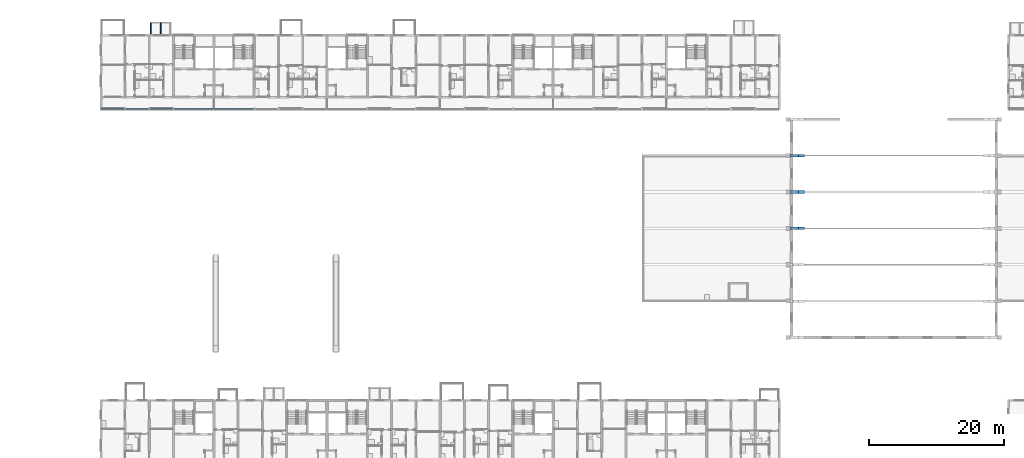
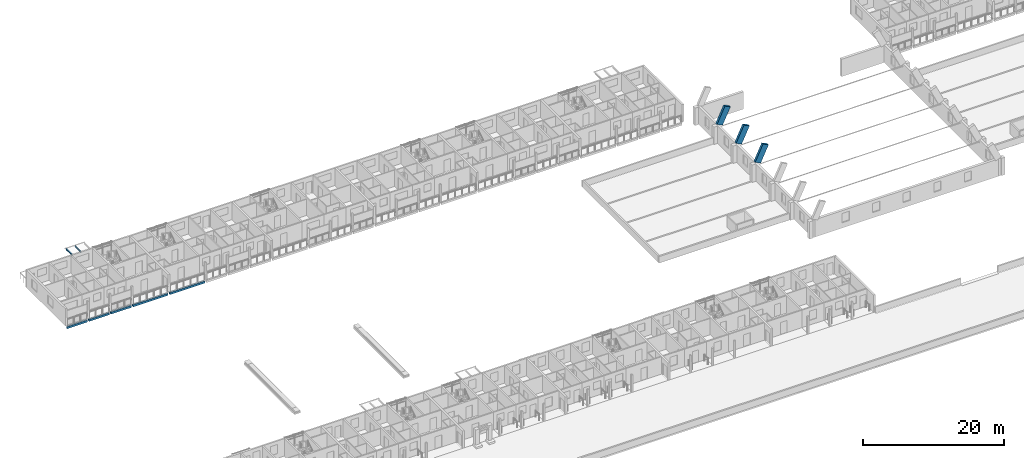
# One storey, part 15 of 115: 10 beams.
"""IFC4 building model written with IfcOpenShell, lengths in metres."""

import ifcopenshell
import ifcopenshell.guid

model = None  # the IFC model being written
_history = None  # IfcOwnerHistory: only IFC2X3 demands one
_inside = {}  # id of a spatial element -> (the spatial element, [elements in it])
_under = {}  # id of a project, library or spatial element -> (it, [spatial elements below it])
_declared = {}  # id of a project -> (the project, [libraries it declares])
_typed = {}  # id of a type object -> (the type object, [elements of that type])
_made_of = {}  # id of a material, layer set ... -> (it, [elements and type objects made of it])


def new_model(schema):
    """Start an empty IFC model of exactly this schema.

    Asked for "IFC4X3", IfcOpenShell would pick the latest addendum, in which some entities
    have other attributes; the version numbers below select the first issue.
    IFC2X3 requires an IfcOwnerHistory on every rooted entity: one is made here for all.
    """
    global model, _history
    if schema == "IFC4X3":
        model = ifcopenshell.file(schema_version=(4, 3, 0, 0))
    else:
        model = ifcopenshell.file(schema=schema)
    _inside.clear()
    _under.clear()
    _declared.clear()
    _typed.clear()
    _made_of.clear()
    _history = None
    if model.schema == "IFC2X3":
        org = make("IfcOrganization", Name="unknown")
        user = make(
            "IfcPersonAndOrganization",
            ThePerson=make("IfcPerson", FamilyName="unknown"),
            TheOrganization=org,
        )
        app = make(
            "IfcApplication",
            ApplicationDeveloper=org,
            Version="unknown",
            ApplicationFullName="unknown",
            ApplicationIdentifier="unknown",
        )
        _history = make(
            "IfcOwnerHistory",
            OwningUser=user,
            OwningApplication=app,
            ChangeAction="ADDED",
            CreationDate=0,
        )
    return model


def make(cls, **values):
    """One entity of the class cls with the attributes given. An attribute that is None is left unset."""
    return model.create_entity(
        cls, **{name: value for name, value in values.items() if value is not None}
    )


def rooted(cls, **values):
    """An entity with a GlobalId (a new one), such as an element, a storey or a relation."""
    return make(cls, GlobalId=ifcopenshell.guid.new(), OwnerHistory=_history, **values)


def si_unit(unit_type, name, prefix=None):
    """IfcSIUnit, for example si_unit("LENGTHUNIT", "METRE", prefix="MILLI")."""
    return make("IfcSIUnit", UnitType=unit_type, Prefix=prefix, Name=name)


def assignment(units):
    """IfcUnitAssignment: the units of a project."""
    return None if units is None else make("IfcUnitAssignment", Units=units)


def point(xyz):
    """IfcCartesianPoint."""
    return None if xyz is None else make("IfcCartesianPoint", Coordinates=xyz)


def direction(xyz):
    """IfcDirection."""
    return None if xyz is None else make("IfcDirection", DirectionRatios=xyz)


def frame(location, z_axis=None, x_axis=None):
    """IfcAxis2Placement3D, a coordinate frame: its origin and axes. An axis left out is left unset."""
    return make(
        "IfcAxis2Placement3D",
        Location=point(location),
        Axis=direction(z_axis),
        RefDirection=direction(x_axis),
    )


def frame_2d(location, x_axis=None):
    """IfcAxis2Placement2D, a coordinate frame in the plane: its origin and x axis."""
    return make(
        "IfcAxis2Placement2D", Location=point(location), RefDirection=direction(x_axis)
    )


def origin():
    """The frame at (0, 0, 0) with its axes left unset."""
    return frame((0.0, 0.0, 0.0))


def origin_2d():
    """The frame at (0, 0) in the plane with its x axis left unset."""
    return frame_2d((0.0, 0.0))


def place(relative_to, where):
    """IfcLocalPlacement: puts the frame where relative to a parent placement (None: the world)."""
    return make(
        "IfcLocalPlacement", PlacementRelTo=relative_to, RelativePlacement=where
    )


def context(
    kind, dimensions, precision=None, world=None, true_north=None, identifier=None
):
    """IfcGeometricRepresentationContext, for example the 3D "Model" context."""
    return make(
        "IfcGeometricRepresentationContext",
        ContextIdentifier=identifier,
        ContextType=kind,
        CoordinateSpaceDimension=dimensions,
        Precision=precision,
        WorldCoordinateSystem=world,
        TrueNorth=true_north,
    )


def subcontext(parent, identifier, kind, view, scale=None):
    """IfcGeometricRepresentationSubContext, for example "Body" below "Model"."""
    return make(
        "IfcGeometricRepresentationSubContext",
        ContextIdentifier=identifier,
        ContextType=kind,
        ParentContext=parent,
        TargetScale=scale,
        TargetView=view,
    )


def project(units=None, contexts=None):
    """IfcProject with its units and contexts."""
    return rooted(
        "IfcProject",
        Name="project",
        RepresentationContexts=contexts,
        UnitsInContext=assignment(units),
    )


def spatial(cls, under=None, at=None, **own):
    """A site, building, storey or space (cls), placed at a placement, below another one or the project."""
    s = rooted(cls, ObjectPlacement=at, **own)
    if under is not None:
        _under.setdefault(under.id(), (under, []))[1].append(s)
    return s


def profile(cls, at=None, kind="AREA", **sizes):
    """A parametric profile (cls). Its sizes go by their IFC names, for example OverallWidth=200.0."""
    return make(cls, ProfileType=kind, Position=at, **sizes)


def rectangle(**sizes):
    """IfcRectangleProfileDef."""
    return profile("IfcRectangleProfileDef", **sizes)


def i_section(**sizes):
    """IfcIShapeProfileDef."""
    return profile("IfcIShapeProfileDef", **sizes)


def extrude(swept, where, along, depth):
    """IfcExtrudedAreaSolid: the profile swept, set in the frame where, extruded along a direction by depth."""
    return make(
        "IfcExtrudedAreaSolid",
        SweptArea=swept,
        Position=where,
        ExtrudedDirection=direction(along),
        Depth=depth,
    )


def shape(context_of_items, identifier, shape_type, items):
    """IfcShapeRepresentation: the items that make up one representation, for example the "Body"."""
    return make(
        "IfcShapeRepresentation",
        ContextOfItems=context_of_items,
        RepresentationIdentifier=identifier,
        RepresentationType=shape_type,
        Items=items,
    )


def material(Name=None, Category=None):
    """IfcMaterial."""
    return make("IfcMaterial", Name=Name, Category=Category)


def material_profile(
    of_material, cross_section, Name=None, Category=None, Priority=None
):
    """IfcMaterialProfile: a cross section and its material."""
    return make(
        "IfcMaterialProfile",
        Name=Name,
        Material=of_material,
        Profile=cross_section,
        Priority=Priority,
        Category=Category,
    )


def profile_set(profiles, Name=None, composite=None):
    """IfcMaterialProfileSet."""
    return make(
        "IfcMaterialProfileSet",
        Name=Name,
        MaterialProfiles=profiles,
        CompositeProfile=composite,
    )


def made_of(thing, what):
    """Note that an element or type object is made of a material, layer set ...; save() writes the relation."""
    if what is not None:
        _made_of.setdefault(what.id(), (what, []))[1].append(thing)
    return thing


def type_object(cls, material=None, **own):
    """A type object (cls), such as IfcWallType, which elements share."""
    return made_of(rooted(cls, **own), material)


def element(
    cls,
    number,
    at=None,
    inside=None,
    cuts=None,
    type_object=None,
    material=None,
    context=None,
    identifier="Body",
    shape_type=None,
    held_by="IfcProductDefinitionShape",
    body=None,
    shapes=None,
    **own,
):
    """One element of the class cls, such as IfcWall. Its Tag is "e" and its number.

    at: its placement. inside: the storey or other place that contains it. cuts: it is an
    opening in that element (IfcRelVoidsElement). A single representation is given by context,
    identifier, shape_type and body (its items); several are given by shapes. held_by: the class
    of the entity that holds the representations. save() writes the other relations.
    """
    e = rooted(cls, Tag="e%d" % number, ObjectPlacement=at, **own)
    if body is not None:
        shapes = [shape(context, identifier, shape_type, body)]
    if shapes is not None:
        e.Representation = make(held_by, Representations=shapes)
    if inside is not None:
        _inside.setdefault(inside.id(), (inside, []))[1].append(e)
    if cuts is not None:
        rooted(
            "IfcRelVoidsElement", RelatingBuildingElement=cuts, RelatedOpeningElement=e
        )
    if type_object is not None:
        _typed.setdefault(type_object.id(), (type_object, []))[1].append(e)
    return made_of(e, material)


def aggregate(whole, parts):
    """IfcRelAggregates: a whole, such as a stair, and the parts it consists of."""
    return rooted("IfcRelAggregates", RelatingObject=whole, RelatedObjects=parts)


def save(model, path):
    """Write the relations noted so far, then the file.

    IfcRelAggregates (storeys below a building ...), IfcRelContainedInSpatialStructure (elements
    in a storey), IfcRelDefinesByType, IfcRelAssociatesMaterial and IfcRelDeclares: one each for
    every whole, place, type object, material and project.
    """
    for whole, parts in _under.values():
        aggregate(whole, parts)
    for where, things in _inside.values():
        rooted(
            "IfcRelContainedInSpatialStructure",
            RelatedElements=things,
            RelatingStructure=where,
        )
    for kind, things in _typed.values():
        rooted("IfcRelDefinesByType", RelatedObjects=things, RelatingType=kind)
    for what, things in _made_of.values():
        rooted("IfcRelAssociatesMaterial", RelatedObjects=things, RelatingMaterial=what)
    for by, libraries in _declared.values():
        rooted("IfcRelDeclares", RelatingContext=by, RelatedDefinitions=libraries)
    model.write(path)


model = new_model("IFC4")

# Units and contexts
model_context = context("Model", 3, precision=1e-05, world=origin(), true_north=direction((0.0, 1.0)))
body_context = subcontext(model_context, "Body", "Model", "MODEL_VIEW")
ifc_project = project(units=[si_unit("LENGTHUNIT", "METRE"), si_unit("AREAUNIT", "SQUARE_METRE"), si_unit("VOLUMEUNIT", "CUBIC_METRE"), si_unit("PLANEANGLEUNIT", "RADIAN"), si_unit("MASSUNIT", "GRAM", prefix="KILO")], contexts=[model_context])

# Site, building, storey
site_placement = place(None, origin())
site = spatial("IfcSite", under=ifc_project, at=site_placement, CompositionType="ELEMENT")
building_placement = place(site_placement, origin())
building = spatial("IfcBuilding", under=site, at=building_placement, Name="Ridgestep Commons", CompositionType="ELEMENT")
storey_placement = place(building_placement, frame((0.0, 0.0, 6.0)))
storey = spatial("IfcBuildingStorey", under=building, at=storey_placement, Name="L02", CompositionType="ELEMENT", Elevation=6.0)

# Beams
ifc_material_1 = material(Name="Precast concrete C50/60", Category="concrete")
ifc_material_profile_1 = material_profile(ifc_material_1, rectangle(XDim=0.39990234375, YDim=1.0, at=origin_2d()), Name="Hall vault rib 400 x 1000")
ifc_profile_set_1 = profile_set([ifc_material_profile_1], Name="Precast concrete C50/60")
beam_type_1 = type_object("IfcBeamType", Name="Hall vault rib 400 x 1000", PredefinedType="BEAM", material=ifc_profile_set_1)
for number, where, z_axis, x_axis, name in (
    (1, (114.800048828125, 48.39990234375, 3.0), (0.429357705231, 0.0, 0.903134519858), (0.0, 1.0, 0.0), "Hall vault rib R4"),
    (2, (114.800048828125, 53.800048828125, 3.0), (0.429357705231, 0.0, 0.903134519858), (0.0, 1.0, 0.0), "Hall vault rib R5"),
    (3, (114.800048828125, 59.199951171875, 3.0), (0.429357705231, 0.0, 0.903134519858), (0.0, 1.0, 0.0), "Hall vault rib R6"),
):
    element("IfcBeam", number, at=place(storey_placement, frame(where, z_axis=z_axis, x_axis=x_axis)), inside=storey, type_object=beam_type_1, Name=name, PredefinedType="BEAM", context=body_context, shape_type="SweptSolid", body=[
        extrude(rectangle(XDim=0.39990234375, YDim=1.0, at=origin_2d()), origin(), (0.0, 0.0, 1.0), 3.011962890625),
    ])
ifc_material_2 = material(Name="Precast concrete C40/50", Category="concrete")
ifc_material_profile_2 = material_profile(ifc_material_2, rectangle(XDim=0.25, YDim=0.35009765625, at=origin_2d()), Name="PC 250x350")
ifc_profile_set_2 = profile_set([ifc_material_profile_2], Name="Precast concrete C40/50")
beam_type_2 = type_object("IfcBeamType", Name="Loggia edge beam 250 x 350", PredefinedType="SPANDREL", material=ifc_profile_set_2)
beam_1_placement = place(storey_placement, frame((12.14990234375, 66.125, -0.375), z_axis=(1.0, 0.0, 0.0), x_axis=(0.0, 1.0, 0.0)))
element("IfcBeam", 4, at=beam_1_placement, inside=storey, type_object=beam_type_2, Name="Loggia edge beam B1T1 L02", PredefinedType="SPANDREL", context=body_context, shape_type="SweptSolid", body=[
    extrude(rectangle(XDim=0.25, YDim=0.35009765625, at=origin_2d()), origin(), (0.0, 0.0, 1.0), 3.3251953125),
])
beam_2_placement = place(storey_placement, frame((15.72509765625, 66.125, -0.375), z_axis=(1.0, 0.0, 0.0), x_axis=(0.0, 1.0, 0.0)))
element("IfcBeam", 5, at=beam_2_placement, inside=storey, type_object=beam_type_2, Name="Loggia edge beam B1T2 L02", PredefinedType="SPANDREL", context=body_context, shape_type="SweptSolid", body=[
    extrude(rectangle(XDim=0.25, YDim=0.35009765625, at=origin_2d()), origin(), (0.0, 0.0, 1.0), 3.349853515625),
])
beam_3_placement = place(storey_placement, frame((19.324951171875, 66.125, -0.375), z_axis=(1.0, 0.0, 0.0), x_axis=(0.0, 1.0, 0.0)))
element("IfcBeam", 6, at=beam_3_placement, inside=storey, type_object=beam_type_2, Name="Loggia edge beam B1T3 L02", PredefinedType="SPANDREL", context=body_context, shape_type="SweptSolid", body=[
    extrude(rectangle(XDim=0.25, YDim=0.35009765625, at=origin_2d()), origin(), (0.0, 0.0, 1.0), 3.35009765625),
])
beam_4_placement = place(storey_placement, frame((22.925048828125, 66.125, -0.375), z_axis=(1.0, 0.0, 0.0), x_axis=(0.0, 1.0, 0.0)))
element("IfcBeam", 7, at=beam_4_placement, inside=storey, type_object=beam_type_2, Name="Loggia edge beam B1C L02", PredefinedType="SPANDREL", context=body_context, shape_type="SweptSolid", body=[
    extrude(rectangle(XDim=0.25, YDim=0.35009765625, at=origin_2d()), origin(), (0.0, 0.0, 1.0), 5.724853515625),
])
beam_5_placement = place(storey_placement, frame((28.949951171875, 66.125, -0.375), z_axis=(1.0, 0.0, 0.0), x_axis=(0.0, 1.0, 0.0)))
element("IfcBeam", 8, at=beam_5_placement, inside=storey, type_object=beam_type_2, Name="Loggia edge beam B2C L02", PredefinedType="SPANDREL", context=body_context, shape_type="SweptSolid", body=[
    extrude(rectangle(XDim=0.25, YDim=0.35009765625, at=origin_2d()), origin(), (0.0, 0.0, 1.0), 5.72509765625),
])
ifc_material_3 = material(Name="Weathering steel S355J2W", Category="steel")
ifc_material_profile_3 = material_profile(ifc_material_3, i_section(OverallWidth=0.14599609375, OverallDepth=0.25146484375, WebThickness=0.006103515625, FlangeThickness=0.008544921875, FilletRadius=0.007568359375, at=origin_2d()), Name="UB 254x146x31")
ifc_profile_set_3 = profile_set([ifc_material_profile_3], Name="Weathering steel S355J2W")
beam_type_3 = type_object("IfcBeamType", Name="Tray arm UB 254x146x31", PredefinedType="BEAM", material=ifc_profile_set_3)
for number, where, z_axis, x_axis, name in (
    (9, (19.449951171875, 77.264892578125, 2.8642578125), (0.0, 1.0, 0.0), (-1.0, 0.0, 0.0), "Tray arm B1T3-03.1"),
    (10, (20.89990234375, 77.264892578125, 2.8642578125), (0.0, 1.0, 0.0), (-1.0, 0.0, 0.0), "Tray arm B1T3-03.2"),
):
    element("IfcBeam", number, at=place(storey_placement, frame(where, z_axis=z_axis, x_axis=x_axis)), inside=storey, type_object=beam_type_3, Name=name, PredefinedType="BEAM", context=body_context, shape_type="SweptSolid", body=[
        extrude(i_section(OverallWidth=0.14599609375, OverallDepth=0.25146484375, WebThickness=0.006103515625, FlangeThickness=0.008544921875, FilletRadius=0.007568359375, at=origin_2d()), origin(), (0.0, 0.0, 1.0), 1.6650390625),
    ])

save(model, "model.ifc")
